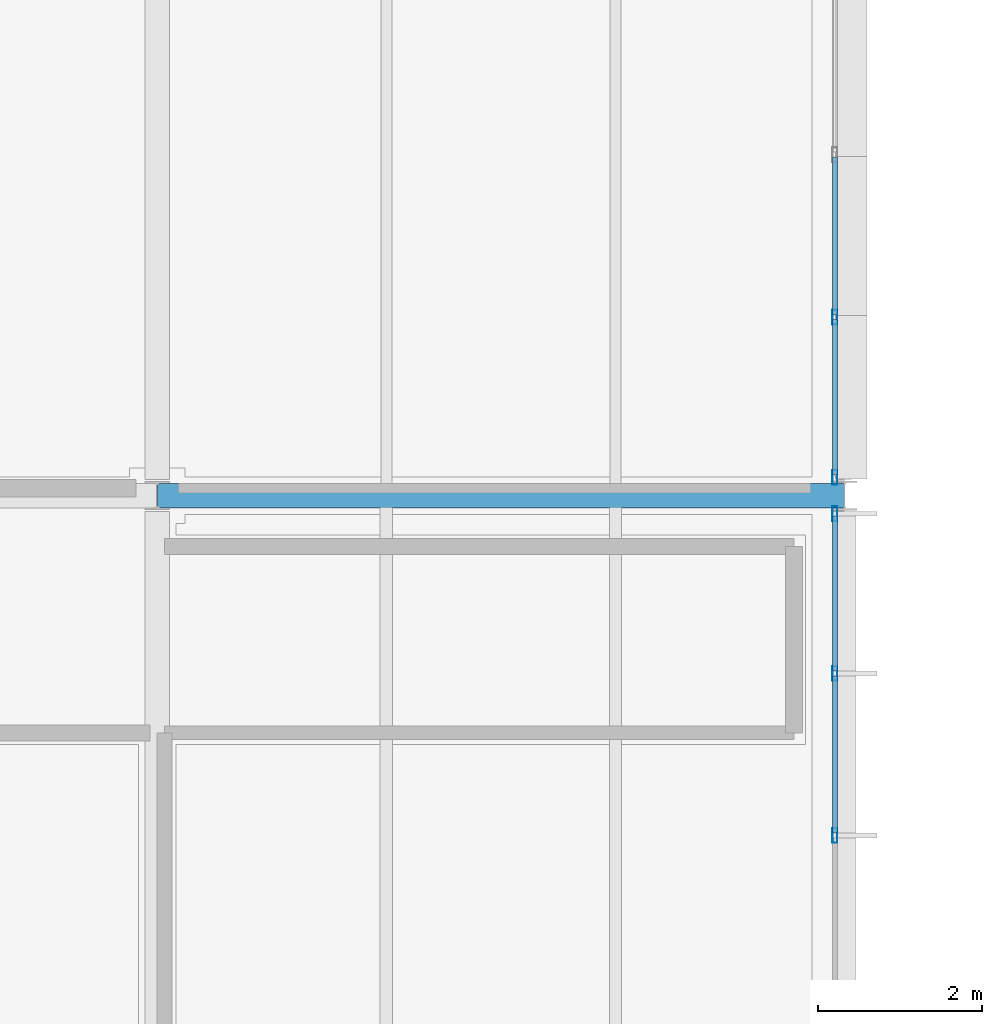
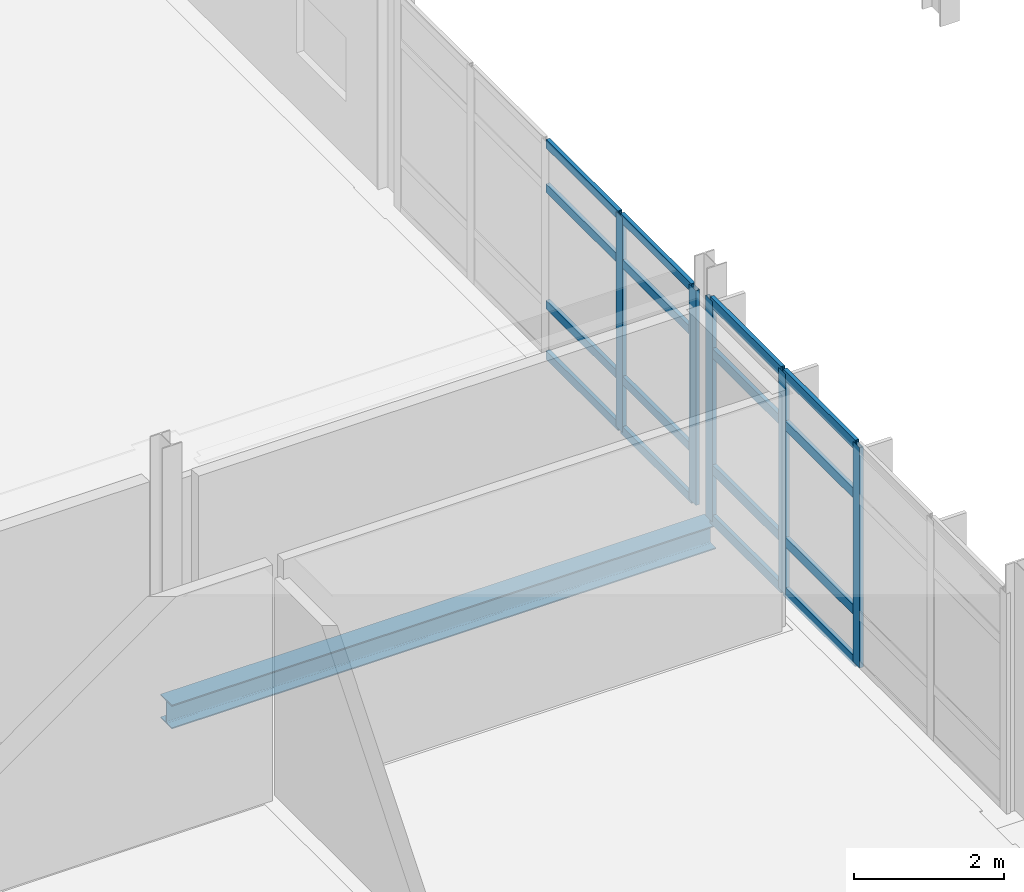
# One storey, part 72 of 131: 21 members, 1 beam, 2 elements without a shape of their own.
"""IFC4 building model written with IfcOpenShell, lengths in metres."""

from ifc_helpers import new_model, si_unit, direction, frame, origin, origin_2d, place, context, subcontext, project, spatial, hollow_rectangle, i_section, extrude, material, material_profile, profile_set, type_object, element, aggregate, save


model = new_model("IFC4")

# Units and contexts
model_context = context("Model", 3, precision=1e-05, world=origin(), true_north=direction((0.0, 1.0)))
body_context = subcontext(model_context, "Body", "Model", "MODEL_VIEW")
ifc_project = project(units=[si_unit("LENGTHUNIT", "METRE"), si_unit("AREAUNIT", "SQUARE_METRE"), si_unit("VOLUMEUNIT", "CUBIC_METRE"), si_unit("PLANEANGLEUNIT", "RADIAN"), si_unit("MASSUNIT", "GRAM", prefix="KILO")], contexts=[model_context])

# Site, building, storey
site_placement = place(None, origin())
site = spatial("IfcSite", under=ifc_project, at=site_placement, CompositionType="ELEMENT")
building_placement = place(site_placement, origin())
building = spatial("IfcBuilding", under=site, at=building_placement, Name="Mersafa Astral City Hall", CompositionType="ELEMENT")
storey_placement = place(building_placement, frame((0.0, 0.0, 13.949951171875)))
storey = spatial("IfcBuildingStorey", under=building, at=storey_placement, Name="L03", CompositionType="ELEMENT", Elevation=13.949951171875)

# Curtain wall, members
ifc_material_1 = material(Name="Anodised bronze aluminium framing", Category="aluminium")
curtain_wall_type_1 = type_object("IfcCurtainWallType", Name="ENV-CW-1", PredefinedType="USERDEFINED", material=ifc_material_1)
curtain_wall_1_placement = place(storey_placement, origin())
curtain_wall_1 = element("IfcCurtainWall", 1, at=curtain_wall_1_placement, inside=storey, type_object=curtain_wall_type_1, Name="L03 Unitised solar curtain wall 156", ObjectType="UNITISED CURTAIN WALL", PredefinedType="USERDEFINED")
ifc_material_profile_1 = material_profile(ifc_material_1, hollow_rectangle(XDim=0.06005859375, YDim=0.179931640625, WallThickness=0.00390625, at=origin_2d()), Name="RHS 60x180x4")
ifc_profile_set_1 = profile_set([ifc_material_profile_1], Name="Anodised bronze aluminium framing")
member_type_1 = type_object("IfcMemberType", Name="ENV-CW-MUL-1", PredefinedType="MULLION", material=ifc_profile_set_1)
member_1_placement = place(storey_placement, frame((117.47998046875, 96.6474609375, -0.001953125), z_axis=(0.0, 0.0, 1.0), x_axis=(-1.0, 0.0, 0.0)))
member_1 = element("IfcMember", 2, at=member_1_placement, type_object=member_type_1, Name="CW-1 mullion 3", PredefinedType="MULLION", context=body_context, shape_type="SweptSolid", body=[
    extrude(hollow_rectangle(XDim=0.06005859375, YDim=0.179931640625, WallThickness=0.00390625, at=origin_2d()), origin(), (0.0, 0.0, 1.0), 3.593994140625),
])
member_2_placement = place(storey_placement, frame((117.47998046875, 98.627685546875, -0.001953125), z_axis=(0.0, 0.0, 1.0), x_axis=(-1.0, 0.0, 0.0)))
member_2 = element("IfcMember", 3, at=member_2_placement, type_object=member_type_1, Name="CW-1 mullion 4", PredefinedType="MULLION", context=body_context, shape_type="SweptSolid", body=[
    extrude(hollow_rectangle(XDim=0.06005859375, YDim=0.179931640625, WallThickness=0.00390625, at=origin_2d()), origin(), (0.0, 0.0, 1.0), 3.593994140625),
])
member_3_placement = place(storey_placement, frame((117.47998046875, 100.577880859375, -0.001953125), z_axis=(0.0, 0.0, 1.0), x_axis=(-1.0, 0.0, 0.0)))
member_3 = element("IfcMember", 4, at=member_3_placement, type_object=member_type_1, Name="CW-1 mullion 5", PredefinedType="MULLION", context=body_context, shape_type="SweptSolid", body=[
    extrude(hollow_rectangle(XDim=0.06005859375, YDim=0.179931640625, WallThickness=0.00390625, at=origin_2d()), origin(), (0.0, 0.0, 1.0), 3.593994140625),
])

curtain_wall_type_2 = type_object("IfcCurtainWallType", Name="ENV-CW-2", PredefinedType="USERDEFINED", material=ifc_material_1)
curtain_wall_2_placement = place(storey_placement, origin())
curtain_wall_2 = element("IfcCurtainWall", 5, at=curtain_wall_2_placement, inside=storey, type_object=curtain_wall_type_2, Name="L03 Unitised solar curtain wall 157", ObjectType="UNITISED CURTAIN WALL", PredefinedType="USERDEFINED")
member_4_placement = place(storey_placement, frame((117.47998046875, 101.02197265625, -0.001953125), z_axis=(0.0, 0.0, 1.0), x_axis=(-1.0, 0.0, 0.0)))
member_4 = element("IfcMember", 6, at=member_4_placement, type_object=member_type_1, Name="CW-2 mullion 1", PredefinedType="MULLION", context=body_context, shape_type="SweptSolid", body=[
    extrude(hollow_rectangle(XDim=0.06005859375, YDim=0.179931640625, WallThickness=0.00390625, at=origin_2d()), origin(), (0.0, 0.0, 1.0), 3.50390625),
])
member_5_placement = place(storey_placement, frame((117.47998046875, 102.978515625, -0.001953125), z_axis=(0.0, 0.0, 1.0), x_axis=(-1.0, 0.0, 0.0)))
member_5 = element("IfcMember", 7, at=member_5_placement, type_object=member_type_1, Name="CW-2 mullion 2", PredefinedType="MULLION", context=body_context, shape_type="SweptSolid", body=[
    extrude(hollow_rectangle(XDim=0.06005859375, YDim=0.179931640625, WallThickness=0.00390625, at=origin_2d()), origin(), (0.0, 0.0, 1.0), 3.50390625),
])
ifc_material_profile_2 = material_profile(ifc_material_1, hollow_rectangle(XDim=0.06005859375, YDim=0.139892578125, WallThickness=0.00390625, at=origin_2d()), Name="RHS 60x140x4")
ifc_profile_set_2 = profile_set([ifc_material_profile_2], Name="Anodised bronze aluminium framing")
member_type_2 = type_object("IfcMemberType", Name="ENV-CW-TRN-1", PredefinedType="USERDEFINED", material=ifc_profile_set_2)
member_6_placement = place(storey_placement, frame((117.47998046875, 101.052001953125, 0.028076171875), z_axis=(0.0, 1.0, 0.0), x_axis=(-1.0, 0.0, 0.0)))
member_6 = element("IfcMember", 8, at=member_6_placement, type_object=member_type_2, Name="CW-2 transom 1.1", ObjectType="TRANSOM", PredefinedType="USERDEFINED", context=body_context, shape_type="SweptSolid", body=[
    extrude(hollow_rectangle(XDim=0.06005859375, YDim=0.139892578125, WallThickness=0.00390625, at=origin_2d()), origin(), (0.0, 0.0, 1.0), 1.896484375),
])
member_7_placement = place(storey_placement, frame((117.47998046875, 101.052001953125, 0.85009765625), z_axis=(0.0, 1.0, 0.0), x_axis=(-1.0, 0.0, 0.0)))
member_7 = element("IfcMember", 9, at=member_7_placement, type_object=member_type_2, Name="CW-2 transom 1.2", ObjectType="TRANSOM", PredefinedType="USERDEFINED", context=body_context, shape_type="SweptSolid", body=[
    extrude(hollow_rectangle(XDim=0.06005859375, YDim=0.139892578125, WallThickness=0.00390625, at=origin_2d()), origin(), (0.0, 0.0, 1.0), 1.896484375),
])
member_8_placement = place(storey_placement, frame((117.47998046875, 101.052001953125, 2.75), z_axis=(0.0, 1.0, 0.0), x_axis=(-1.0, 0.0, 0.0)))
member_8 = element("IfcMember", 10, at=member_8_placement, type_object=member_type_2, Name="CW-2 transom 1.3", ObjectType="TRANSOM", PredefinedType="USERDEFINED", context=body_context, shape_type="SweptSolid", body=[
    extrude(hollow_rectangle(XDim=0.06005859375, YDim=0.139892578125, WallThickness=0.00390625, at=origin_2d()), origin(), (0.0, 0.0, 1.0), 1.896484375),
])
member_9_placement = place(storey_placement, frame((117.47998046875, 101.052001953125, 3.47216796875), z_axis=(0.0, 1.0, 0.0), x_axis=(-1.0, 0.0, 0.0)))
member_9 = element("IfcMember", 11, at=member_9_placement, type_object=member_type_2, Name="CW-2 transom 1.4", ObjectType="TRANSOM", PredefinedType="USERDEFINED", context=body_context, shape_type="SweptSolid", body=[
    extrude(hollow_rectangle(XDim=0.06005859375, YDim=0.139892578125, WallThickness=0.00390625, at=origin_2d()), origin(), (0.0, 0.0, 1.0), 1.896484375),
])
member_10_placement = place(storey_placement, frame((117.47998046875, 103.008544921875, 0.028076171875), z_axis=(0.0, 1.0, 0.0), x_axis=(-1.0, 0.0, 0.0)))
member_10 = element("IfcMember", 12, at=member_10_placement, type_object=member_type_2, Name="CW-2 transom 2.1", ObjectType="TRANSOM", PredefinedType="USERDEFINED", context=body_context, shape_type="SweptSolid", body=[
    extrude(hollow_rectangle(XDim=0.06005859375, YDim=0.139892578125, WallThickness=0.00390625, at=origin_2d()), origin(), (0.0, 0.0, 1.0), 1.926513671875),
])
member_11_placement = place(storey_placement, frame((117.47998046875, 103.008544921875, 0.85009765625), z_axis=(0.0, 1.0, 0.0), x_axis=(-1.0, 0.0, 0.0)))
member_11 = element("IfcMember", 13, at=member_11_placement, type_object=member_type_2, Name="CW-2 transom 2.2", ObjectType="TRANSOM", PredefinedType="USERDEFINED", context=body_context, shape_type="SweptSolid", body=[
    extrude(hollow_rectangle(XDim=0.06005859375, YDim=0.139892578125, WallThickness=0.00390625, at=origin_2d()), origin(), (0.0, 0.0, 1.0), 1.926513671875),
])
member_12_placement = place(storey_placement, frame((117.47998046875, 103.008544921875, 2.75), z_axis=(0.0, 1.0, 0.0), x_axis=(-1.0, 0.0, 0.0)))
member_12 = element("IfcMember", 14, at=member_12_placement, type_object=member_type_2, Name="CW-2 transom 2.3", ObjectType="TRANSOM", PredefinedType="USERDEFINED", context=body_context, shape_type="SweptSolid", body=[
    extrude(hollow_rectangle(XDim=0.06005859375, YDim=0.139892578125, WallThickness=0.00390625, at=origin_2d()), origin(), (0.0, 0.0, 1.0), 1.926513671875),
])
member_13_placement = place(storey_placement, frame((117.47998046875, 103.008544921875, 3.47216796875), z_axis=(0.0, 1.0, 0.0), x_axis=(-1.0, 0.0, 0.0)))
member_13 = element("IfcMember", 15, at=member_13_placement, type_object=member_type_2, Name="CW-2 transom 2.4", ObjectType="TRANSOM", PredefinedType="USERDEFINED", context=body_context, shape_type="SweptSolid", body=[
    extrude(hollow_rectangle(XDim=0.06005859375, YDim=0.139892578125, WallThickness=0.00390625, at=origin_2d()), origin(), (0.0, 0.0, 1.0), 1.926513671875),
])
aggregate(curtain_wall_2, [member_4, member_5, member_6, member_7, member_8, member_9, member_10, member_11, member_12, member_13])

# Member
ifc_material_profile_3 = material_profile(ifc_material_1, hollow_rectangle(XDim=0.06005859375, YDim=0.159912109375, WallThickness=0.00390625, at=origin_2d()), Name="RHS 60x160x4")
ifc_profile_set_3 = profile_set([ifc_material_profile_3], Name="Anodised bronze aluminium framing")
member_type_3 = type_object("IfcMemberType", Name="ENV-CW-TRN-2", PredefinedType="USERDEFINED", material=ifc_profile_set_3)
member_14_placement = place(storey_placement, frame((117.47998046875, 96.677490234375, 0.028076171875), z_axis=(0.0, 1.0, 0.0), x_axis=(-1.0, 0.0, 0.0)))
member_14 = element("IfcMember", 16, at=member_14_placement, type_object=member_type_3, Name="CW-1 transom 3.1", ObjectType="TRANSOM", PredefinedType="USERDEFINED", context=body_context, shape_type="SweptSolid", body=[
    extrude(hollow_rectangle(XDim=0.06005859375, YDim=0.159912109375, WallThickness=0.00390625, at=origin_2d()), origin(), (0.0, 0.0, 1.0), 1.920166015625),
])

member_15_placement = place(storey_placement, frame((117.47998046875, 96.677490234375, 0.85009765625), z_axis=(0.0, 1.0, 0.0), x_axis=(-1.0, 0.0, 0.0)))
member_15 = element("IfcMember", 17, at=member_15_placement, type_object=member_type_3, Name="CW-1 transom 3.2", ObjectType="TRANSOM", PredefinedType="USERDEFINED", context=body_context, shape_type="SweptSolid", body=[
    extrude(hollow_rectangle(XDim=0.06005859375, YDim=0.159912109375, WallThickness=0.00390625, at=origin_2d()), origin(), (0.0, 0.0, 1.0), 1.920166015625),
])

member_16_placement = place(storey_placement, frame((117.47998046875, 96.677490234375, 2.75), z_axis=(0.0, 1.0, 0.0), x_axis=(-1.0, 0.0, 0.0)))
member_16 = element("IfcMember", 18, at=member_16_placement, type_object=member_type_3, Name="CW-1 transom 3.3", ObjectType="TRANSOM", PredefinedType="USERDEFINED", context=body_context, shape_type="SweptSolid", body=[
    extrude(hollow_rectangle(XDim=0.06005859375, YDim=0.159912109375, WallThickness=0.00390625, at=origin_2d()), origin(), (0.0, 0.0, 1.0), 1.920166015625),
])

member_17_placement = place(storey_placement, frame((117.47998046875, 96.677490234375, 3.56201171875), z_axis=(0.0, 1.0, 0.0), x_axis=(-1.0, 0.0, 0.0)))
member_17 = element("IfcMember", 19, at=member_17_placement, type_object=member_type_3, Name="CW-1 transom 3.4", ObjectType="TRANSOM", PredefinedType="USERDEFINED", context=body_context, shape_type="SweptSolid", body=[
    extrude(hollow_rectangle(XDim=0.06005859375, YDim=0.159912109375, WallThickness=0.00390625, at=origin_2d()), origin(), (0.0, 0.0, 1.0), 1.920166015625),
])

member_18_placement = place(storey_placement, frame((117.47998046875, 98.65771484375, 0.028076171875), z_axis=(0.0, 1.0, 0.0), x_axis=(-1.0, 0.0, 0.0)))
member_18 = element("IfcMember", 20, at=member_18_placement, type_object=member_type_3, Name="CW-1 transom 4.1", ObjectType="TRANSOM", PredefinedType="USERDEFINED", context=body_context, shape_type="SweptSolid", body=[
    extrude(hollow_rectangle(XDim=0.06005859375, YDim=0.159912109375, WallThickness=0.00390625, at=origin_2d()), origin(), (0.0, 0.0, 1.0), 1.890380859375),
])

member_19_placement = place(storey_placement, frame((117.47998046875, 98.65771484375, 0.85009765625), z_axis=(0.0, 1.0, 0.0), x_axis=(-1.0, 0.0, 0.0)))
member_19 = element("IfcMember", 21, at=member_19_placement, type_object=member_type_3, Name="CW-1 transom 4.2", ObjectType="TRANSOM", PredefinedType="USERDEFINED", context=body_context, shape_type="SweptSolid", body=[
    extrude(hollow_rectangle(XDim=0.06005859375, YDim=0.159912109375, WallThickness=0.00390625, at=origin_2d()), origin(), (0.0, 0.0, 1.0), 1.890380859375),
])

member_20_placement = place(storey_placement, frame((117.47998046875, 98.65771484375, 2.75), z_axis=(0.0, 1.0, 0.0), x_axis=(-1.0, 0.0, 0.0)))
member_20 = element("IfcMember", 22, at=member_20_placement, type_object=member_type_3, Name="CW-1 transom 4.3", ObjectType="TRANSOM", PredefinedType="USERDEFINED", context=body_context, shape_type="SweptSolid", body=[
    extrude(hollow_rectangle(XDim=0.06005859375, YDim=0.159912109375, WallThickness=0.00390625, at=origin_2d()), origin(), (0.0, 0.0, 1.0), 1.890380859375),
])

member_21_placement = place(storey_placement, frame((117.47998046875, 98.65771484375, 3.56201171875), z_axis=(0.0, 1.0, 0.0), x_axis=(-1.0, 0.0, 0.0)))
member_21 = element("IfcMember", 23, at=member_21_placement, type_object=member_type_3, Name="CW-1 transom 4.4", ObjectType="TRANSOM", PredefinedType="USERDEFINED", context=body_context, shape_type="SweptSolid", body=[
    extrude(hollow_rectangle(XDim=0.06005859375, YDim=0.159912109375, WallThickness=0.00390625, at=origin_2d()), origin(), (0.0, 0.0, 1.0), 1.890380859375),
])

aggregate(curtain_wall_1, [member_1, member_2, member_3, member_14, member_15, member_16, member_17, member_18, member_19, member_20, member_21])

# Beam
ifc_material_2 = material(Name="Steel S355", Category="steel")
ifc_material_profile_4 = material_profile(ifc_material_2, i_section(OverallWidth=0.300048828125, OverallDepth=0.389892578125, WebThickness=0.010986328125, FlangeThickness=0.01904296875, FilletRadius=0.027099609375, at=origin_2d()), Name="HEA 400")
ifc_profile_set_4 = profile_set([ifc_material_profile_4], Name="Steel S355")
beam_type = type_object("IfcBeamType", Name="STR-BM-HEA400", PredefinedType="BEAM", material=ifc_profile_set_4)
beam_placement = place(storey_placement, frame((109.202880859375, 100.800048828125, -0.39501953125), z_axis=(1.0, 0.0, 0.0), x_axis=(0.0, 1.0, 0.0)))
element("IfcBeam", 24, at=beam_placement, inside=storey, type_object=beam_type, Name="L03 Primary girder X 13-12", PredefinedType="BEAM", context=body_context, shape_type="SweptSolid", body=[
    extrude(i_section(OverallWidth=0.300048828125, OverallDepth=0.389892578125, WebThickness=0.010986328125, FlangeThickness=0.01904296875, FilletRadius=0.027099609375, at=origin_2d()), origin(), (0.0, 0.0, 1.0), 8.39404296875),
])

save(model, "model.ifc")
